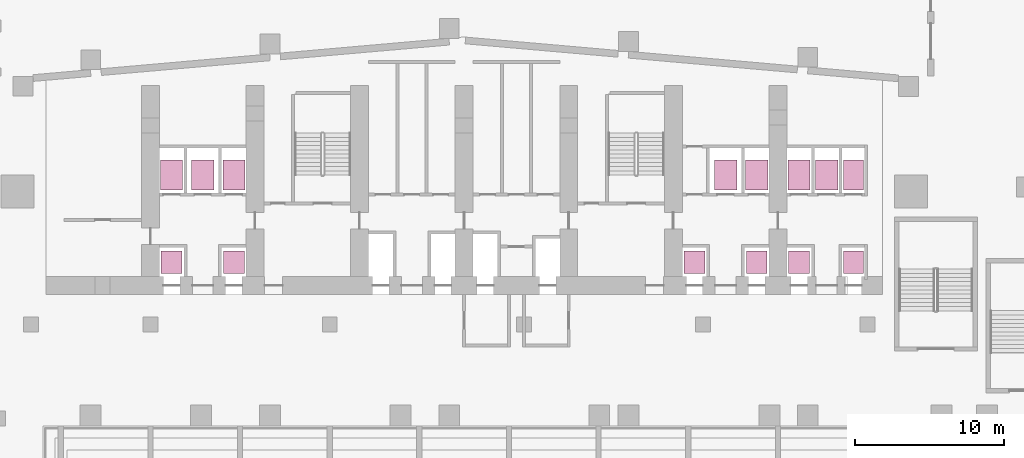
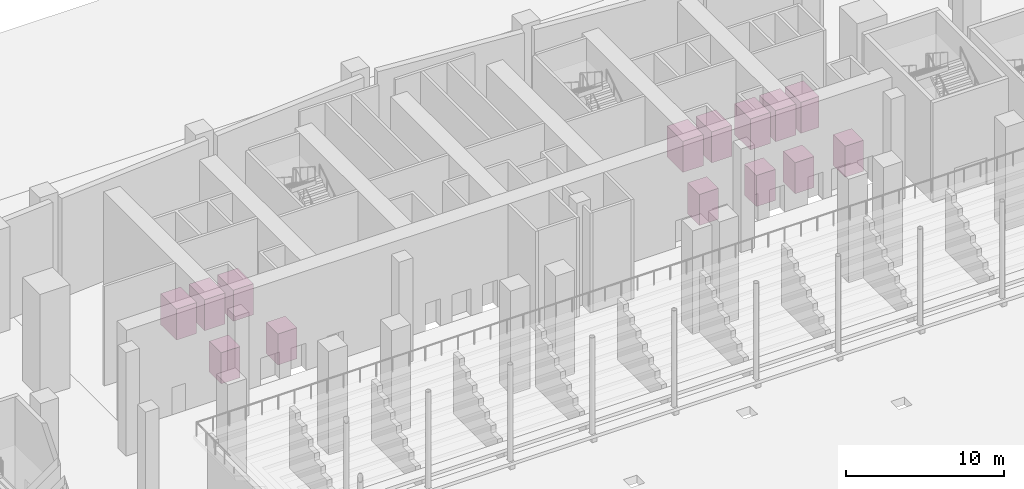
# One storey, part 41 of 41: 14 transport elements.
"""IFC4 building model written with IfcOpenShell, lengths in metres."""

from ifc_helpers import new_model, si_unit, direction, frame, origin, origin_2d, place, context, subcontext, project, spatial, rectangle, extrude, material, type_object, element, save


model = new_model("IFC4")

# Units and contexts
model_context = context("Model", 3, precision=1e-05, world=origin(), true_north=direction((0.0, 1.0)))
body_context = subcontext(model_context, "Body", "Model", "MODEL_VIEW")
ifc_project = project(units=[si_unit("LENGTHUNIT", "METRE"), si_unit("AREAUNIT", "SQUARE_METRE"), si_unit("VOLUMEUNIT", "CUBIC_METRE"), si_unit("PLANEANGLEUNIT", "RADIAN"), si_unit("MASSUNIT", "GRAM", prefix="KILO")], contexts=[model_context])

# Site, building, storey
site_placement = place(None, origin())
site = spatial("IfcSite", under=ifc_project, at=site_placement, CompositionType="ELEMENT")
building_placement = place(site_placement, origin())
building = spatial("IfcBuilding", under=site, at=building_placement, Name="Wharfspan Tower", CompositionType="ELEMENT")
storey_placement = place(building_placement, origin())
storey = spatial("IfcBuildingStorey", under=building, at=storey_placement, Name="L00", CompositionType="ELEMENT", Elevation=0.0)

# Transport elements
ifc_material = material(Name="Stainless steel", Category="steel")
transport_element_type = type_object("IfcTransportElementType", Name="Lift car", PredefinedType="ELEVATOR", material=ifc_material)
for number, where, z_axis, x_axis, name in (
    (1, (17.416748, 36.149902, 0.0), (0.0, 0.0, 1.0), (1.0, 0.0, 0.0), "Passenger lift LA1"),
    (2, (21.583252, 36.149902, 0.0), (0.0, 0.0, 1.0), (1.0, 0.0, 0.0), "Passenger lift LA2"),
):
    element("IfcTransportElement", number, at=place(storey_placement, frame(where, z_axis=z_axis, x_axis=x_axis)), inside=storey, type_object=transport_element_type, Name=name, PredefinedType="ELEVATOR", context=body_context, shape_type="SweptSolid", body=[
        extrude(rectangle(XDim=1.399902, YDim=1.5, at=origin_2d()), origin(), (0.0, 0.0, 1.0), 2.399902),
    ])
transport_element_1_placement = place(storey_placement, frame((17.416748, 42.0, 0.0), z_axis=(0.0, 0.0, 1.0), x_axis=(1.0, 0.0, 0.0)))
element("IfcTransportElement", 3, at=transport_element_1_placement, inside=storey, type_object=transport_element_type, Name="Passenger lift LA3", PredefinedType="ELEVATOR", context=body_context, shape_type="SweptSolid", body=[
    extrude(rectangle(XDim=1.47998, YDim=2.0, at=origin_2d()), origin(), (0.0, 0.0, 1.0), 2.399902),
])
transport_element_2_placement = place(storey_placement, frame((19.5, 42.0, 0.0), z_axis=(0.0, 0.0, 1.0), x_axis=(1.0, 0.0, 0.0)))
element("IfcTransportElement", 4, at=transport_element_2_placement, inside=storey, type_object=transport_element_type, Name="Passenger lift LA4", PredefinedType="ELEVATOR", context=body_context, shape_type="SweptSolid", body=[
    extrude(rectangle(XDim=1.5, YDim=2.0, at=origin_2d()), origin(), (0.0, 0.0, 1.0), 2.399902),
])
transport_element_3_placement = place(storey_placement, frame((21.583252, 42.0, 0.0), z_axis=(0.0, 0.0, 1.0), x_axis=(1.0, 0.0, 0.0)))
element("IfcTransportElement", 5, at=transport_element_3_placement, inside=storey, type_object=transport_element_type, Name="Passenger lift LA5", PredefinedType="ELEVATOR", context=body_context, shape_type="SweptSolid", body=[
    extrude(rectangle(XDim=1.47998, YDim=2.0, at=origin_2d()), origin(), (0.0, 0.0, 1.0), 2.399902),
])
transport_element_4_placement = place(storey_placement, frame((59.416748, 36.149902, 0.0), z_axis=(0.0, 0.0, 1.0), x_axis=(1.0, 0.0, 0.0)))
element("IfcTransportElement", 6, at=transport_element_4_placement, inside=storey, type_object=transport_element_type, Name="Passenger lift LA6", PredefinedType="ELEVATOR", context=body_context, shape_type="SweptSolid", body=[
    extrude(rectangle(XDim=1.399902, YDim=1.5, at=origin_2d()), origin(), (0.0, 0.0, 1.0), 2.399902),
])
transport_element_5_placement = place(storey_placement, frame((63.050049, 36.149902, 0.0), z_axis=(0.0, 0.0, 1.0), x_axis=(1.0, 0.0, 0.0)))
element("IfcTransportElement", 7, at=transport_element_5_placement, inside=storey, type_object=transport_element_type, Name="Passenger lift LA7", PredefinedType="ELEVATOR", context=body_context, shape_type="SweptSolid", body=[
    extrude(rectangle(XDim=1.350098, YDim=1.5, at=origin_2d()), origin(), (0.0, 0.0, 1.0), 2.399902),
])
transport_element_6_placement = place(storey_placement, frame((59.416748, 42.0, 0.0), z_axis=(0.0, 0.0, 1.0), x_axis=(1.0, 0.0, 0.0)))
element("IfcTransportElement", 8, at=transport_element_6_placement, inside=storey, type_object=transport_element_type, Name="Passenger lift LA8", PredefinedType="ELEVATOR", context=body_context, shape_type="SweptSolid", body=[
    extrude(rectangle(XDim=1.47998, YDim=2.0, at=origin_2d()), origin(), (0.0, 0.0, 1.0), 2.399902),
])
transport_element_7_placement = place(storey_placement, frame((61.266602, 42.0, 0.0), z_axis=(0.0, 0.0, 1.0), x_axis=(1.0, 0.0, 0.0)))
element("IfcTransportElement", 9, at=transport_element_7_placement, inside=storey, type_object=transport_element_type, Name="Passenger lift LA9", PredefinedType="ELEVATOR", context=body_context, shape_type="SweptSolid", body=[
    extrude(rectangle(XDim=1.5, YDim=2.0, at=origin_2d()), origin(), (0.0, 0.0, 1.0), 2.399902),
])
transport_element_8_placement = place(storey_placement, frame((63.050049, 42.0, 0.0), z_axis=(0.0, 0.0, 1.0), x_axis=(1.0, 0.0, 0.0)))
element("IfcTransportElement", 10, at=transport_element_8_placement, inside=storey, type_object=transport_element_type, Name="Passenger lift LA10", PredefinedType="ELEVATOR", context=body_context, shape_type="SweptSolid", body=[
    extrude(rectangle(XDim=1.350098, YDim=2.0, at=origin_2d()), origin(), (0.0, 0.0, 1.0), 2.399902),
])
for number, where, z_axis, x_axis, name in (
    (11, (52.416748, 36.149902, 0.0), (0.0, 0.0, 1.0), (1.0, 0.0, 0.0), "Shuttle lift LS1"),
    (12, (56.583252, 36.149902, 0.0), (0.0, 0.0, 1.0), (1.0, 0.0, 0.0), "Shuttle lift LS2"),
):
    element("IfcTransportElement", number, at=place(storey_placement, frame(where, z_axis=z_axis, x_axis=x_axis)), inside=storey, type_object=transport_element_type, Name=name, PredefinedType="ELEVATOR", context=body_context, shape_type="SweptSolid", body=[
        extrude(rectangle(XDim=1.399902, YDim=1.5, at=origin_2d()), origin(), (0.0, 0.0, 1.0), 2.399902),
    ])
transport_element_9_placement = place(storey_placement, frame((54.5, 42.0, 0.0), z_axis=(0.0, 0.0, 1.0), x_axis=(1.0, 0.0, 0.0)))
element("IfcTransportElement", 13, at=transport_element_9_placement, inside=storey, type_object=transport_element_type, Name="Shuttle lift LS3", PredefinedType="ELEVATOR", context=body_context, shape_type="SweptSolid", body=[
    extrude(rectangle(XDim=1.5, YDim=2.0, at=origin_2d()), origin(), (0.0, 0.0, 1.0), 2.399902),
])
transport_element_10_placement = place(storey_placement, frame((56.583252, 42.0, 0.0), z_axis=(0.0, 0.0, 1.0), x_axis=(1.0, 0.0, 0.0)))
element("IfcTransportElement", 14, at=transport_element_10_placement, inside=storey, type_object=transport_element_type, Name="Shuttle lift LS4", PredefinedType="ELEVATOR", context=body_context, shape_type="SweptSolid", body=[
    extrude(rectangle(XDim=1.47998, YDim=2.0, at=origin_2d()), origin(), (0.0, 0.0, 1.0), 2.399902),
])

save(model, "model.ifc")
